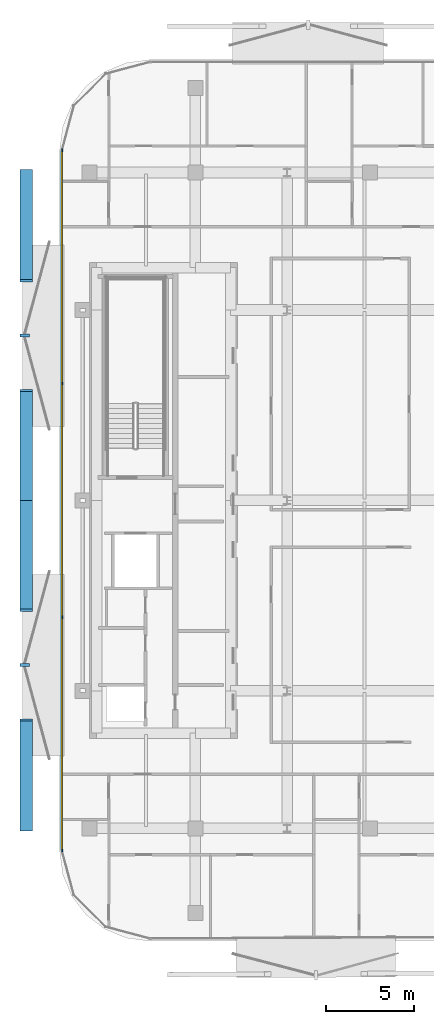
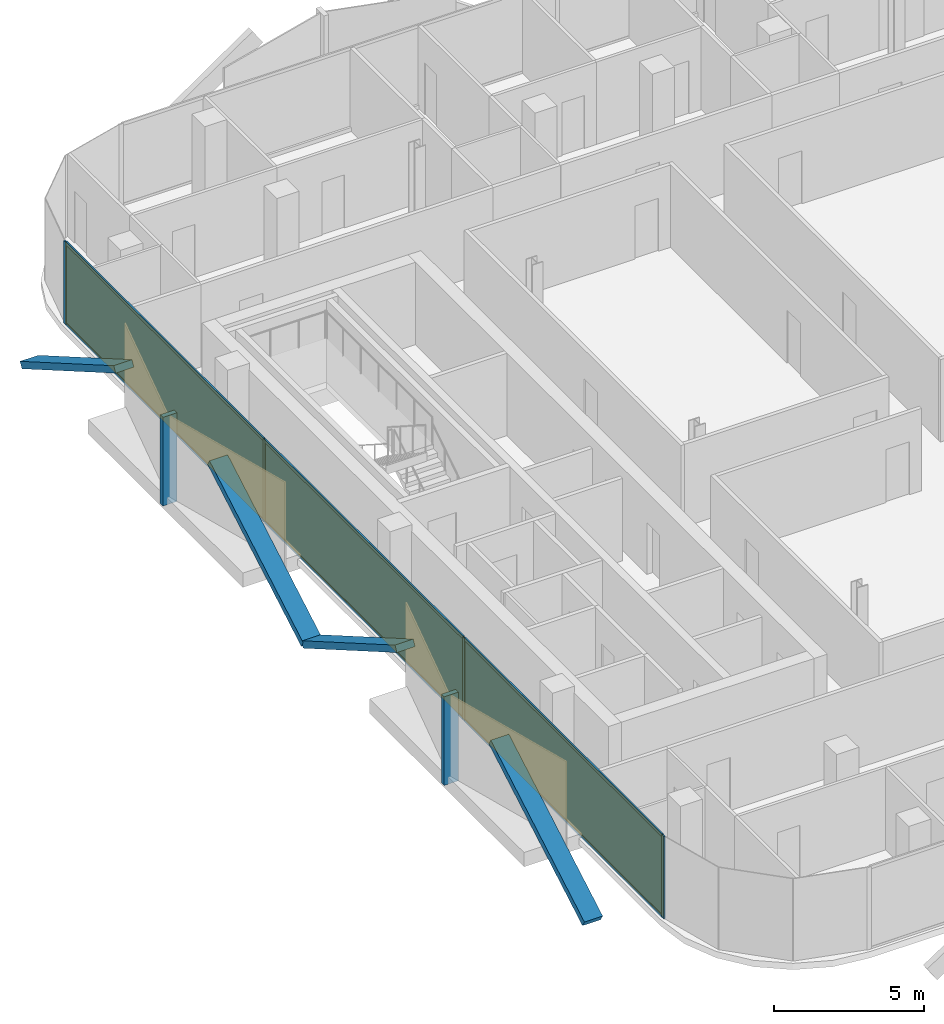
# One storey, part 9 of 15: 16 members, 3 plates, 1 curtain wall.
"""IFC4 building model written with IfcOpenShell, lengths in metres."""

from ifc_helpers import new_model, si_unit, direction, frame, frame_2d, origin, origin_2d, place, context, subcontext, project, spatial, rectangle, extrude, material, layer, layer_set, material_profile, profile_set, type_object, element, aggregate, save


model = new_model("IFC4")

# Units and contexts
model_context = context("Model", 3, precision=1e-05, world=origin(), true_north=direction((0.0, 1.0)))
body_context = subcontext(model_context, "Body", "Model", "MODEL_VIEW")
ifc_project = project(units=[si_unit("LENGTHUNIT", "METRE"), si_unit("AREAUNIT", "SQUARE_METRE"), si_unit("VOLUMEUNIT", "CUBIC_METRE"), si_unit("PLANEANGLEUNIT", "RADIAN"), si_unit("MASSUNIT", "GRAM", prefix="KILO")], contexts=[model_context])

# Member
ifc_material_1 = material(Name="Anodised Bronze Aluminium 6063-T6", Category="aluminium")
ifc_material_profile_1 = material_profile(ifc_material_1, rectangle(XDim=0.260009765625, YDim=0.699951171875, at=origin_2d()))
ifc_profile_set_1 = profile_set([ifc_material_profile_1], Name="Anodised Bronze Aluminium 6063-T6")
member_type_1 = type_object("IfcMemberType", Name="Bronze Diamond Solar-Screen Lattice Rib BDL-700", PredefinedType="MULLION", material=ifc_profile_set_1)
site_placement = place(None, origin())
building_placement = place(site_placement, origin())
storey_placement = place(building_placement, frame((0.0, 0.0, 244.0)))
member_1_placement = place(storey_placement, frame((-24.0, -18.69091796875, -0.1298828125), z_axis=(0.0, 0.865863440235, 0.500280424227), x_axis=(0.0, -0.500280424227, 0.865863440235)))
member_1 = element("IfcMember", 1, at=member_1_placement, type_object=member_type_1, Name="L57 Bronze Diamond Solar Screen Lattice Rib 387A", PredefinedType="MULLION", context=body_context, shape_type="SweptSolid", body=[
    extrude(rectangle(XDim=0.260009765625, YDim=0.699951171875, at=origin_2d()), origin(), (0.0, 0.0, 1.0), 7.195556640625),
])

member_2_placement = place(storey_placement, frame((-24.0, 0.0, -0.1298828125), z_axis=(0.0, -0.865854948139, 0.500295121686), x_axis=(0.0, 0.500295121686, 0.865854948139)))
member_2 = element("IfcMember", 2, at=member_2_placement, type_object=member_type_1, Name="L57 Bronze Diamond Solar Screen Lattice Rib 387B", PredefinedType="MULLION", context=body_context, shape_type="SweptSolid", body=[
    extrude(rectangle(XDim=0.260009765625, YDim=0.699951171875, at=origin_2d()), origin(), (0.0, 0.0, 1.0), 7.195556640625),
])

member_3_placement = place(storey_placement, frame((-24.0, 0.0, -0.1298828125), z_axis=(0.0, 0.865854948139, 0.500295121686), x_axis=(0.0, -0.500295121686, 0.865854948139)))
member_3 = element("IfcMember", 3, at=member_3_placement, type_object=member_type_1, Name="L57 Bronze Diamond Solar Screen Lattice Rib 388A", PredefinedType="MULLION", context=body_context, shape_type="SweptSolid", body=[
    extrude(rectangle(XDim=0.260009765625, YDim=0.699951171875, at=origin_2d()), origin(), (0.0, 0.0, 1.0), 7.195556640625),
])

member_4_placement = place(storey_placement, frame((-24.0, 18.69091796875, -0.1298828125), z_axis=(0.0, -0.865863440235, 0.500280424227), x_axis=(0.0, 0.500280424227, 0.865863440235)))
member_4 = element("IfcMember", 4, at=member_4_placement, type_object=member_type_1, Name="L57 Bronze Diamond Solar Screen Lattice Rib 388B", PredefinedType="MULLION", context=body_context, shape_type="SweptSolid", body=[
    extrude(rectangle(XDim=0.260009765625, YDim=0.699951171875, at=origin_2d()), origin(), (0.0, 0.0, 1.0), 7.195556640625),
])

ifc_material_2 = material(Name="Anodised Bronze Aluminium 6063-T6", Category="aluminium")
ifc_material_profile_2 = material_profile(ifc_material_2, rectangle(XDim=0.179931640625, YDim=0.5400390625, at=origin_2d()))
ifc_profile_set_2 = profile_set([ifc_material_profile_2], Name="Anodised Bronze Aluminium 6063-T6")
member_type_2 = type_object("IfcMemberType", Name="Bronze Solar-Screen Vertical Fold Fin BSF-540", PredefinedType="MULLION", material=ifc_profile_set_2)
member_5_placement = place(storey_placement, frame((-24.080078125, -9.345458984375, -0.1298828125), z_axis=(0.0, 0.0, 1.0), x_axis=(0.0, 1.0, 0.0)))
member_5 = element("IfcMember", 5, at=member_5_placement, type_object=member_type_2, Name="L57 Bronze Solar Screen Vertical Fin 387", PredefinedType="MULLION", context=body_context, shape_type="SweptSolid", body=[
    extrude(rectangle(XDim=0.179931640625, YDim=0.5400390625, at=origin_2d()), origin(), (0.0, 0.0, 1.0), 3.599853515625),
])

member_6_placement = place(storey_placement, frame((-24.080078125, 9.345458984375, -0.1298828125), z_axis=(0.0, 0.0, 1.0), x_axis=(0.0, 1.0, 0.0)))
member_6 = element("IfcMember", 6, at=member_6_placement, type_object=member_type_2, Name="L57 Bronze Solar Screen Vertical Fin 388", PredefinedType="MULLION", context=body_context, shape_type="SweptSolid", body=[
    extrude(rectangle(XDim=0.179931640625, YDim=0.5400390625, at=origin_2d()), origin(), (0.0, 0.0, 1.0), 3.599853515625),
])

ifc_material_3 = material(Name="Anodised Bronze Aluminium 6063-T6", Category="aluminium")
ifc_material_profile_3 = material_profile(ifc_material_3, rectangle(XDim=0.06005859375, YDim=0.159912109375, at=origin_2d()))
ifc_profile_set_3 = profile_set([ifc_material_profile_3], Name="Anodised Bronze Aluminium 6063-T6")
member_type_3 = type_object("IfcMemberType", Name="CW-Z4 Mullion 60x160", PredefinedType="MULLION", material=ifc_profile_set_3)
member_7_placement = place(storey_placement, frame((-21.9599609375, -19.86083984375, 0.0), z_axis=(0.0, 0.0, 1.0), x_axis=(-1.0, 0.0, 0.0)))
member_7 = element("IfcMember", 7, at=member_7_placement, type_object=member_type_3, Name="CW-Z4 mullion 1", PredefinedType="MULLION", context=body_context, shape_type="SweptSolid", body=[
    extrude(rectangle(XDim=0.06005859375, YDim=0.159912109375, at=origin_2d()), origin(), (0.0, 0.0, 1.0), 3.340087890625),
])

member_8_placement = place(storey_placement, frame((-21.9599609375, -6.63037109375, 0.0), z_axis=(0.0, 0.0, 1.0), x_axis=(-1.0, 0.0, 0.0)))
member_8 = element("IfcMember", 8, at=member_8_placement, type_object=member_type_3, Name="CW-Z4 mullion 2", PredefinedType="MULLION", context=body_context, shape_type="SweptSolid", body=[
    extrude(rectangle(XDim=0.06005859375, YDim=0.159912109375, at=origin_2d()), origin(), (0.0, 0.0, 1.0), 3.340087890625),
])

member_9_placement = place(storey_placement, frame((-21.9599609375, 6.63037109375, 0.0), z_axis=(0.0, 0.0, 1.0), x_axis=(-1.0, 0.0, 0.0)))
member_9 = element("IfcMember", 9, at=member_9_placement, type_object=member_type_3, Name="CW-Z4 mullion 3", PredefinedType="MULLION", context=body_context, shape_type="SweptSolid", body=[
    extrude(rectangle(XDim=0.06005859375, YDim=0.159912109375, at=origin_2d()), origin(), (0.0, 0.0, 1.0), 3.340087890625),
])

member_10_placement = place(storey_placement, frame((-21.9599609375, 19.86083984375, 0.0), z_axis=(0.0, 0.0, 1.0), x_axis=(-1.0, 0.0, 0.0)))
member_10 = element("IfcMember", 10, at=member_10_placement, type_object=member_type_3, Name="CW-Z4 mullion 4", PredefinedType="MULLION", context=body_context, shape_type="SweptSolid", body=[
    extrude(rectangle(XDim=0.06005859375, YDim=0.159912109375, at=origin_2d()), origin(), (0.0, 0.0, 1.0), 3.340087890625),
])

ifc_material_4 = material(Name="Anodised Bronze Aluminium 6063-T6", Category="aluminium")
ifc_material_profile_4 = material_profile(ifc_material_4, rectangle(XDim=0.06005859375, YDim=0.125, at=origin_2d()))
ifc_profile_set_4 = profile_set([ifc_material_profile_4], Name="Anodised Bronze Aluminium 6063-T6")
member_type_4 = type_object("IfcMemberType", Name="CW-Z4 Transom 60x125", PredefinedType="USERDEFINED", material=ifc_profile_set_4)
member_11_placement = place(storey_placement, frame((-21.9599609375, -19.830810546875, 0.030029296875), z_axis=(0.0, 1.0, 0.0), x_axis=(-1.0, 0.0, 0.0)))
member_11 = element("IfcMember", 11, at=member_11_placement, type_object=member_type_4, Name="CW-Z4 transom 1.1", ObjectType="TRANSOM", PredefinedType="USERDEFINED", context=body_context, shape_type="SweptSolid", body=[
    extrude(rectangle(XDim=0.06005859375, YDim=0.125, at=origin_2d()), origin(), (0.0, 0.0, 1.0), 13.170654296875),
])

member_12_placement = place(storey_placement, frame((-21.9599609375, -19.830810546875, 3.31005859375), z_axis=(0.0, 1.0, 0.0), x_axis=(-1.0, 0.0, 0.0)))
member_12 = element("IfcMember", 12, at=member_12_placement, type_object=member_type_4, Name="CW-Z4 transom 1.2", ObjectType="TRANSOM", PredefinedType="USERDEFINED", context=body_context, shape_type="SweptSolid", body=[
    extrude(rectangle(XDim=0.06005859375, YDim=0.125, at=origin_2d()), origin(), (0.0, 0.0, 1.0), 13.170654296875),
])

member_13_placement = place(storey_placement, frame((-21.9599609375, -6.600341796875, 0.030029296875), z_axis=(0.0, 1.0, 0.0), x_axis=(-1.0, 0.0, 0.0)))
member_13 = element("IfcMember", 13, at=member_13_placement, type_object=member_type_4, Name="CW-Z4 transom 2.1", ObjectType="TRANSOM", PredefinedType="USERDEFINED", context=body_context, shape_type="SweptSolid", body=[
    extrude(rectangle(XDim=0.06005859375, YDim=0.125, at=origin_2d()), origin(), (0.0, 0.0, 1.0), 13.20068359375),
])

member_14_placement = place(storey_placement, frame((-21.9599609375, -6.600341796875, 3.31005859375), z_axis=(0.0, 1.0, 0.0), x_axis=(-1.0, 0.0, 0.0)))
member_14 = element("IfcMember", 14, at=member_14_placement, type_object=member_type_4, Name="CW-Z4 transom 2.2", ObjectType="TRANSOM", PredefinedType="USERDEFINED", context=body_context, shape_type="SweptSolid", body=[
    extrude(rectangle(XDim=0.06005859375, YDim=0.125, at=origin_2d()), origin(), (0.0, 0.0, 1.0), 13.20068359375),
])

member_15_placement = place(storey_placement, frame((-21.9599609375, 6.66015625, 0.030029296875), z_axis=(0.0, 1.0, 0.0), x_axis=(-1.0, 0.0, 0.0)))
member_15 = element("IfcMember", 15, at=member_15_placement, type_object=member_type_4, Name="CW-Z4 transom 3.1", ObjectType="TRANSOM", PredefinedType="USERDEFINED", context=body_context, shape_type="SweptSolid", body=[
    extrude(rectangle(XDim=0.06005859375, YDim=0.125, at=origin_2d()), origin(), (0.0, 0.0, 1.0), 13.170654296875),
])

member_16_placement = place(storey_placement, frame((-21.9599609375, 6.66015625, 3.31005859375), z_axis=(0.0, 1.0, 0.0), x_axis=(-1.0, 0.0, 0.0)))
member_16 = element("IfcMember", 16, at=member_16_placement, type_object=member_type_4, Name="CW-Z4 transom 3.2", ObjectType="TRANSOM", PredefinedType="USERDEFINED", context=body_context, shape_type="SweptSolid", body=[
    extrude(rectangle(XDim=0.06005859375, YDim=0.125, at=origin_2d()), origin(), (0.0, 0.0, 1.0), 13.170654296875),
])

# Plate
ifc_material_5 = material(Name="Low-E Solar Control Laminated Glass", Category="glass")
ifc_layer_1 = layer(ifc_material_5, 0.030029296875, Name="Low-E Solar Control Laminated Glass")
ifc_layer_set_1 = layer_set([ifc_layer_1], Name="Low-E Solar Control Laminated Glass")
plate_type = type_object("IfcPlateType", Name="CW-Z4 Low-E Double Glazed Panel 30mm", PredefinedType="CURTAIN_PANEL", material=ifc_layer_set_1)
plate_1_placement = place(storey_placement, frame((-21.9599609375, -13.24560546875, 0.06005859375), z_axis=(0.0, 0.0, 1.0), x_axis=(0.0, 1.0, 0.0)))
plate_1 = element("IfcPlate", 17, at=plate_1_placement, type_object=plate_type, Name="CW-Z4 panel 1.1", PredefinedType="CURTAIN_PANEL", context=body_context, shape_type="SweptSolid", body=[
    extrude(rectangle(XDim=13.170654296875, YDim=0.030029296875, at=origin_2d()), origin(), (0.0, 0.0, 1.0), 3.219970703125),
])

plate_2_placement = place(storey_placement, frame((-21.9599609375, 0.0, 0.06005859375), z_axis=(0.0, 0.0, 1.0), x_axis=(0.0, 1.0, 0.0)))
plate_2 = element("IfcPlate", 18, at=plate_2_placement, type_object=plate_type, Name="CW-Z4 panel 2.1", PredefinedType="CURTAIN_PANEL", context=body_context, shape_type="SweptSolid", body=[
    extrude(rectangle(XDim=13.200439453125, YDim=0.030029296875, at=origin_2d()), origin(), (0.0, 0.0, 1.0), 3.219970703125),
])

plate_3_placement = place(storey_placement, frame((-21.9599609375, 13.24560546875, 0.06005859375), z_axis=(0.0, 0.0, 1.0), x_axis=(0.0, 1.0, 0.0)))
plate_3 = element("IfcPlate", 19, at=plate_3_placement, type_object=plate_type, Name="CW-Z4 panel 3.1", PredefinedType="CURTAIN_PANEL", context=body_context, shape_type="SweptSolid", body=[
    extrude(rectangle(XDim=13.170654296875, YDim=0.030029296875, at=origin_2d()), origin(), (0.0, 0.0, 1.0), 3.219970703125),
])

# Site, building, storey
site = spatial("IfcSite", under=ifc_project, at=site_placement, CompositionType="ELEMENT")
building = spatial("IfcBuilding", under=site, at=building_placement, Name="Khairoan Windgate Tower", CompositionType="ELEMENT")
storey = spatial("IfcBuildingStorey", under=building, at=storey_placement, Name="L57", CompositionType="ELEMENT", Elevation=244.0)

# Curtain wall
ifc_material_6 = material(Name="Anodised Bronze Aluminium 6063-T6", Category="aluminium")
ifc_layer_2 = layer(ifc_material_6, 0.159912109375, Name="Anodised Bronze Aluminium 6063-T6")
ifc_layer_set_2 = layer_set([ifc_layer_2], Name="Anodised Bronze Aluminium 6063-T6")
curtain_wall_type = type_object("IfcCurtainWallType", Name="Sky Residence Unitised Curtain Wall CW-Z4", PredefinedType="NOTDEFINED", material=ifc_layer_set_2)
curtain_wall_placement = place(storey_placement, frame((-21.9599609375, -19.890869140625, 0.0), z_axis=(0.0, 0.0, 1.0), x_axis=(0.0, 1.0, 0.0)))
curtain_wall = element("IfcCurtainWall", 20, at=curtain_wall_placement, inside=storey, type_object=curtain_wall_type, Name="L57 Unitised Curtain Wall 5", PredefinedType="NOTDEFINED", context=body_context, shape_type="SweptSolid", body=[
    extrude(rectangle(XDim=39.78173828125, YDim=0.010009765625, at=frame_2d((19.890869140625, 0.0))), origin(), (0.0, 0.0, 1.0), 3.340087890625),
])

aggregate(curtain_wall, [member_7, member_8, member_9, member_10, member_11, member_12, plate_1, member_13, member_14, plate_2, member_15, member_16, plate_3, member_1, member_2, member_5, member_3, member_4, member_6])

save(model, "model.ifc")
